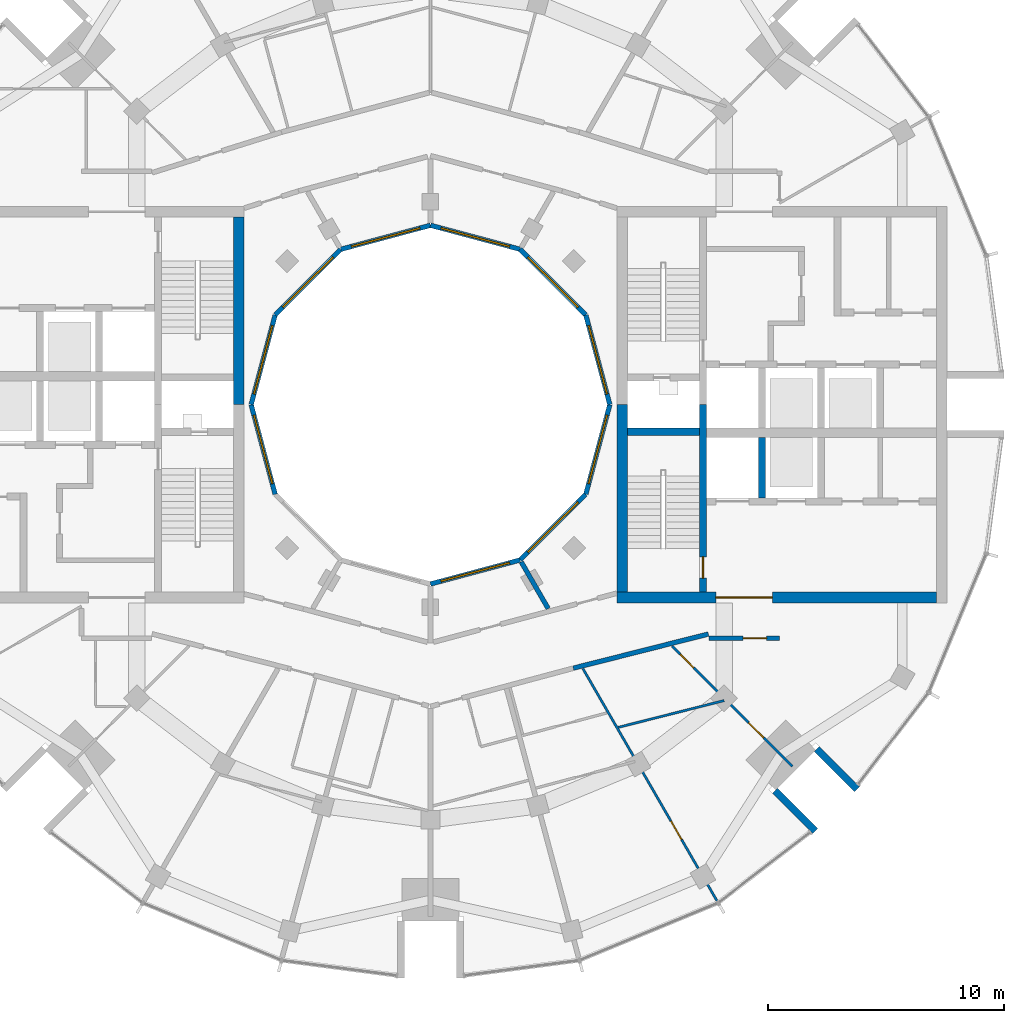
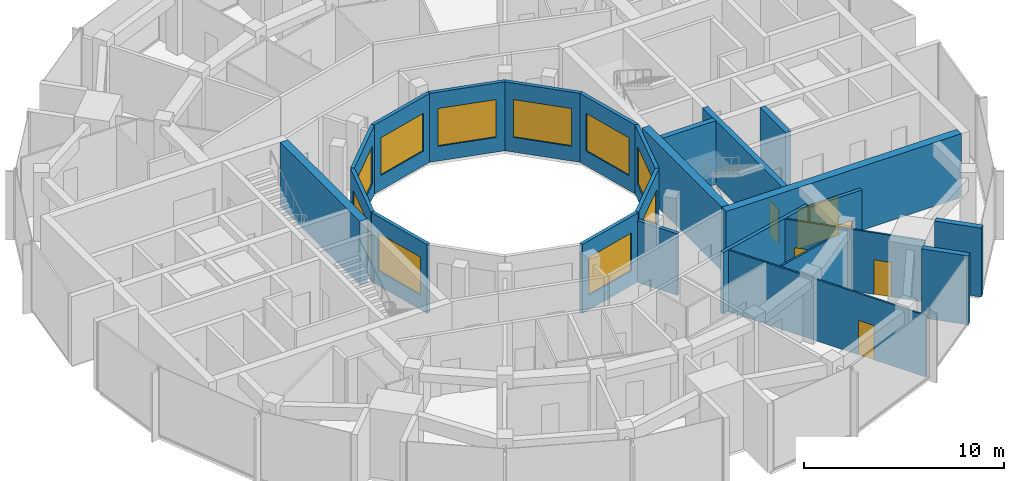
# One storey, part 10 of 15: 24 walls, 10 windows, 6 doors, 16 openings.
"""IFC4 building model written with IfcOpenShell, lengths in metres."""

from ifc_helpers import new_model, si_unit, direction, frame, frame_2d, origin, place, context, subcontext, project, spatial, rectangle, extrude, material, layer, layer_set, type_object, element, fill, save


model = new_model("IFC4")

# Units and contexts
model_context = context("Model", 3, precision=1e-05, world=origin(), true_north=direction((0.0, 1.0)))
body_context = subcontext(model_context, "Body", "Model", "MODEL_VIEW")
ifc_project = project(units=[si_unit("LENGTHUNIT", "METRE"), si_unit("AREAUNIT", "SQUARE_METRE"), si_unit("VOLUMEUNIT", "CUBIC_METRE"), si_unit("PLANEANGLEUNIT", "RADIAN"), si_unit("MASSUNIT", "GRAM", prefix="KILO")], contexts=[model_context])

# Site, building, storey
site_placement = place(None, origin())
site = spatial("IfcSite", under=ifc_project, at=site_placement, CompositionType="ELEMENT")
building_placement = place(site_placement, origin())
building = spatial("IfcBuilding", under=site, at=building_placement, Name="Torre Brocal", CompositionType="ELEMENT")
storey_placement = place(building_placement, frame((0.0, 0.0, 279.89990234375)))
storey = spatial("IfcBuildingStorey", under=building, at=storey_placement, Name="L64", CompositionType="ELEMENT", Elevation=279.89990234375)

# Wall, opening, door
ifc_material_1 = material(Name="Concrete C50", Category="concrete")
ifc_layer_1 = layer(ifc_material_1, 0.300048828125)
ifc_layer_set_1 = layer_set([ifc_layer_1], Name="Concrete C50")
wall_type_1 = type_object("IfcWallType", Name="CORE WALL 300 C50", PredefinedType="SHEAR", material=ifc_layer_set_1)
wall_1_placement = place(storey_placement, frame((91.550048828125, 67.050048828125, 0.0), z_axis=(0.0, 0.0, 1.0), x_axis=(0.0, 1.0, 0.0)))
wall_1 = element("IfcWall", 1, at=wall_1_placement, inside=storey, type_object=wall_type_1, Name="Wall CW300-50", PredefinedType="SHEAR", context=body_context, shape_type="SweptSolid", body=[
    extrude(rectangle(XDim=7.949951171875, YDim=0.300048828125, at=frame_2d((3.97509765625, 0.0))), origin(), (0.0, 0.0, 1.0), 3.880126953125),
])
opening_1_placement = place(wall_1_placement, frame((0.60009765625, 0.0, 0.0)))
opening_1 = element("IfcOpeningElement", 2, at=opening_1_placement, cuts=wall_1, Name="Opening E-D03", PredefinedType="OPENING", context=body_context, shape_type="SweptSolid", body=[
    extrude(rectangle(XDim=0.89990234375, YDim=2.10009765625, at=frame_2d((0.449951171875, 1.050048828125))), frame((0.0, 0.159912109375, 0.0), z_axis=(0.0, -1.0, 0.0), x_axis=(1.0, 0.0, 0.0)), (0.0, 0.0, 1.0), 0.320068359375),
])
ifc_material_2 = material(Name="Steel A653", Category="steel")
door_type_1 = type_object("IfcDoorType", Name="STAIR DOOR FD120 900X2100", OperationType="SINGLE_SWING_RIGHT", PredefinedType="DOOR", material=ifc_material_2)
door_1_placement = place(opening_1_placement, origin())
door_1 = element("IfcDoor", 3, at=door_1_placement, inside=storey, type_object=door_type_1, Name="Door E-D03", OperationType="SINGLE_SWING_LEFT", OverallHeight=2.10009765625, OverallWidth=0.89990234375, PredefinedType="DOOR", context=body_context, shape_type="SweptSolid", body=[
    extrude(rectangle(XDim=0.89990234375, YDim=2.10009765625, at=frame_2d((0.449951171875, 1.050048828125))), frame((0.0, 0.02490234375, 0.0), z_axis=(0.0, -1.0, 0.0), x_axis=(1.0, 0.0, 0.0)), (0.0, 0.0, 1.0), 0.050048828125),
])
fill(opening_1, door_1)

# Walls
wall_2_placement = place(storey_placement, frame((88.35009765625, 73.85009765625, 0.0), z_axis=(0.0, 0.0, 1.0), x_axis=(1.0, 0.0, 0.0)))
element("IfcWall", 4, at=wall_2_placement, inside=storey, type_object=wall_type_1, Name="Wall CW300-50", PredefinedType="SHEAR", context=body_context, shape_type="SweptSolid", body=[
    extrude(rectangle(XDim=3.0498046875, YDim=0.300048828125, at=frame_2d((1.52490234375, 0.0))), origin(), (0.0, 0.0, 1.0), 3.880126953125),
])
wall_3_placement = place(storey_placement, frame((94.050048828125, 71.050048828125, 0.0), z_axis=(0.0, 0.0, 1.0), x_axis=(0.0, 1.0, 0.0)))
element("IfcWall", 5, at=wall_3_placement, inside=storey, type_object=wall_type_1, Name="Wall CW300-50", PredefinedType="SHEAR", context=body_context, shape_type="SweptSolid", body=[
    extrude(rectangle(XDim=2.550048828125, YDim=0.300048828125, at=frame_2d((1.27490234375, 0.0))), origin(), (0.0, 0.0, 1.0), 3.880126953125),
])

# Wall, opening, door
ifc_material_3 = material(Name="Concrete C50", Category="concrete")
ifc_layer_2 = layer(ifc_material_3, 0.449951171875)
ifc_layer_set_2 = layer_set([ifc_layer_2], Name="Concrete C50")
wall_type_2 = type_object("IfcWallType", Name="CORE WALL 450 C50", PredefinedType="SHEAR", material=ifc_layer_set_2)
wall_4_placement = place(storey_placement, frame((87.89990234375, 66.824951171875, 0.0), z_axis=(0.0, 0.0, 1.0), x_axis=(1.0, 0.0, 0.0)))
wall_4 = element("IfcWall", 6, at=wall_4_placement, inside=storey, type_object=wall_type_2, Name="Wall CW450-50", PredefinedType="SHEAR", context=body_context, shape_type="SweptSolid", body=[
    extrude(rectangle(XDim=13.550048828125, YDim=0.449951171875, at=frame_2d((6.77490234375, 0.0))), origin(), (0.0, 0.0, 1.0), 3.880126953125),
])
opening_2_placement = place(wall_4_placement, frame((4.199951171875, 0.0, 0.0)))
opening_2 = element("IfcOpeningElement", 7, at=opening_2_placement, cuts=wall_4, Name="Opening E-D34", PredefinedType="OPENING", context=body_context, shape_type="SweptSolid", body=[
    extrude(rectangle(XDim=2.39990234375, YDim=2.39990234375, at=frame_2d((1.199951171875, 1.199951171875))), frame((0.0, 0.23486328125, 0.0), z_axis=(0.0, -1.0, 0.0), x_axis=(1.0, 0.0, 0.0)), (0.0, 0.0, 1.0), 0.469970703125),
])
ifc_material_4 = material(Name="Steel A653", Category="steel")
door_type_2 = type_object("IfcDoorType", Name="DOUBLE FIRE DOOR FD90 2400X2400", OperationType="DOUBLE_DOOR_SINGLE_SWING", PredefinedType="DOOR", material=ifc_material_4)
door_2_placement = place(opening_2_placement, origin())
door_2 = element("IfcDoor", 8, at=door_2_placement, inside=storey, type_object=door_type_2, Name="Door E-D34", OperationType="DOUBLE_DOOR_SINGLE_SWING", OverallHeight=2.39990234375, OverallWidth=2.39990234375, PredefinedType="DOOR", context=body_context, shape_type="SweptSolid", body=[
    extrude(rectangle(XDim=2.39990234375, YDim=2.39990234375, at=frame_2d((1.199951171875, 1.199951171875))), frame((0.0, 0.02490234375, 0.0), z_axis=(0.0, -1.0, 0.0), x_axis=(1.0, 0.0, 0.0)), (0.0, 0.0, 1.0), 0.050048828125),
])
fill(opening_2, door_2)

# Walls
for number, where, z_axis, x_axis, name in (
    (9, (88.125, 67.050048828125, 0.0), (0.0, 0.0, 1.0), (0.0, 1.0, 0.0), "Wall CW450-50"),
    (10, (71.875, 82.949951171875, 0.0), (0.0, 0.0, 1.0), (0.0, -1.0, 0.0), "Wall CW450-50"),
):
    element("IfcWall", number, at=place(storey_placement, frame(where, z_axis=z_axis, x_axis=x_axis)), inside=storey, type_object=wall_type_2, Name=name, PredefinedType="SHEAR", context=body_context, shape_type="SweptSolid", body=[
        extrude(rectangle(XDim=7.949951171875, YDim=0.449951171875, at=frame_2d((3.97509765625, 0.0))), origin(), (0.0, 0.0, 1.0), 3.880126953125),
    ])
ifc_material_5 = material(Name="Concrete C50", Category="concrete")
ifc_layer_3 = layer(ifc_material_5, 0.300048828125)
ifc_layer_set_3 = layer_set([ifc_layer_3], Name="Concrete C50")
wall_type_3 = type_object("IfcWallType", Name="NOTCH RETURN WALL 300 C50", PredefinedType="NOTDEFINED", material=ifc_layer_set_3)
for number, where, z_axis, x_axis, name in (
    (11, (94.601806640625, 58.63037109375, 0.0), (0.0, 0.0, 1.0), (0.707106781187, -0.707106781187, 0.0), "NOTCH RETURN WALL"),
    (12, (96.36962890625, 60.398193359375, 0.0), (0.0, 0.0, 1.0), (0.707106781187, -0.707106781187, 0.0), "NOTCH RETURN WALL"),
):
    element("IfcWall", number, at=place(storey_placement, frame(where, z_axis=z_axis, x_axis=x_axis)), inside=storey, type_object=wall_type_3, Name=name, PredefinedType="NOTDEFINED", context=body_context, shape_type="SweptSolid", body=[
        extrude(rectangle(XDim=2.41552734375, YDim=0.300048828125, at=frame_2d((1.207763671875, 0.0))), origin(), (0.0, 0.0, 1.0), 4.2001953125),
    ])

# Wall, opening, door
ifc_material_6 = material(Name="Gypsum board", Category="Gypsum")
ifc_layer_4 = layer(ifc_material_6, 0.10009765625)
ifc_layer_set_4 = layer_set([ifc_layer_4], Name="Gypsum board")
wall_type_4 = type_object("IfcWallType", Name="PARTITION 100", PredefinedType="PARTITIONING", material=ifc_layer_set_4)
wall_5_placement = place(storey_placement, frame((86.461181640625, 63.810302734375, 0.0), z_axis=(0.0, 0.0, 1.0), x_axis=(0.499933609462, -0.866063730986, 0.0)))
wall_5 = element("IfcWall", 13, at=wall_5_placement, inside=storey, type_object=wall_type_4, Name="BATHROOM WALL", PredefinedType="PARTITIONING", context=body_context, shape_type="SweptSolid", body=[
    extrude(rectangle(XDim=11.37646484375, YDim=0.10009765625, at=frame_2d((5.688232421875, 0.0))), origin(), (0.0, 0.0, 1.0), 3.75),
])
opening_3_placement = place(wall_5_placement, frame((7.4697265625, 0.0, 0.0)))
opening_3 = element("IfcOpeningElement", 14, at=opening_3_placement, cuts=wall_5, Name="Opening N01-D25", PredefinedType="OPENING", context=body_context, shape_type="SweptSolid", body=[
    extrude(rectangle(XDim=0.89990234375, YDim=2.10009765625, at=frame_2d((0.449951171875, 1.050048828125))), frame((0.0, 0.06005859375, 0.0), z_axis=(0.0, -1.0, 0.0), x_axis=(1.0, 0.0, 0.0)), (0.0, 0.0, 1.0), 0.1201171875),
])
ifc_material_7 = material(Name="Timber", Category="wood")
door_type_3 = type_object("IfcDoorType", Name="ROOM DOOR 900X2100", OperationType="SINGLE_SWING_LEFT", PredefinedType="DOOR", material=ifc_material_7)
door_3_placement = place(opening_3_placement, origin())
door_3 = element("IfcDoor", 15, at=door_3_placement, inside=storey, type_object=door_type_3, Name="N01-D25", OperationType="SINGLE_SWING_RIGHT", OverallHeight=2.10009765625, OverallWidth=0.89990234375, PredefinedType="DOOR", context=body_context, shape_type="SweptSolid", body=[
    extrude(rectangle(XDim=0.89990234375, YDim=2.10009765625, at=frame_2d((0.449951171875, 1.050048828125))), frame((0.0, 0.02490234375, 0.0), z_axis=(0.0, -1.0, 0.0), x_axis=(1.0, 0.0, 0.0)), (0.0, 0.0, 1.0), 0.050048828125),
])
fill(opening_3, door_3)

# Wall
wall_6_placement = place(storey_placement, frame((87.96630859375, 61.318603515625, 0.0), z_axis=(0.0, 0.0, 1.0), x_axis=(0.969427184869, 0.245379162189, 0.0)))
element("IfcWall", 16, at=wall_6_placement, inside=storey, type_object=wall_type_4, Name="BATHROOM WALL", PredefinedType="PARTITIONING", context=body_context, shape_type="SweptSolid", body=[
    extrude(rectangle(XDim=4.62451171875, YDim=0.10009765625, at=frame_2d((2.312255859375, 0.0))), origin(), (0.0, 0.0, 1.0), 3.75),
])

# Wall, openings, doors
wall_7_placement = place(storey_placement, frame((90.239013671875, 64.760986328125, 0.0), z_axis=(0.0, 0.0, 1.0), x_axis=(0.707106781187, -0.707106781187, 0.0)))
wall_7 = element("IfcWall", 17, at=wall_7_placement, inside=storey, type_object=wall_type_4, Name="BATHROOM WALL", PredefinedType="PARTITIONING", context=body_context, shape_type="SweptSolid", body=[
    extrude(rectangle(XDim=7.22021484375, YDim=0.10009765625, at=frame_2d((3.610107421875, 0.0))), origin(), (0.0, 0.0, 1.0), 3.75),
])
opening_4_placement = place(wall_7_placement, frame((4.591552734375, 0.0, 0.0)))
opening_4 = element("IfcOpeningElement", 18, at=opening_4_placement, cuts=wall_7, Name="Opening N01-D23", PredefinedType="OPENING", context=body_context, shape_type="SweptSolid", body=[
    extrude(rectangle(XDim=0.89990234375, YDim=2.10009765625, at=frame_2d((0.449951171875, 1.050048828125))), frame((0.0, 0.06005859375, 0.0), z_axis=(0.0, -1.0, 0.0), x_axis=(1.0, 0.0, 0.0)), (0.0, 0.0, 1.0), 0.1201171875),
])
opening_5_placement = place(wall_7_placement, frame((0.492431640625, 0.0, 0.0)))
opening_5 = element("IfcOpeningElement", 19, at=opening_5_placement, cuts=wall_7, Name="Opening N01-D24", PredefinedType="OPENING", context=body_context, shape_type="SweptSolid", body=[
    extrude(rectangle(XDim=0.800048828125, YDim=2.10009765625, at=frame_2d((0.39990234375, 1.050048828125))), frame((0.0, 0.06005859375, 0.0), z_axis=(0.0, -1.0, 0.0), x_axis=(1.0, 0.0, 0.0)), (0.0, 0.0, 1.0), 0.1201171875),
])
ifc_material_8 = material(Name="Timber", Category="wood")
door_type_4 = type_object("IfcDoorType", Name="BATHROOM DOOR 800X2100", OperationType="SINGLE_SWING_LEFT", PredefinedType="DOOR", material=ifc_material_8)
door_4_placement = place(opening_5_placement, frame((0.800048828125, 0.0, 0.0), z_axis=(0.0, 0.0, 1.0), x_axis=(-1.0, 0.0, 0.0)))
door_4 = element("IfcDoor", 20, at=door_4_placement, inside=storey, type_object=door_type_4, Name="N01-D24", OperationType="SINGLE_SWING_RIGHT", OverallHeight=2.10009765625, OverallWidth=0.800048828125, PredefinedType="DOOR", context=body_context, shape_type="SweptSolid", body=[
    extrude(rectangle(XDim=0.800048828125, YDim=2.10009765625, at=frame_2d((0.39990234375, 1.050048828125))), frame((0.0, 0.02490234375, 0.0), z_axis=(0.0, -1.0, 0.0), x_axis=(1.0, 0.0, 0.0)), (0.0, 0.0, 1.0), 0.050048828125),
])
fill(opening_5, door_4)
door_5_placement = place(opening_4_placement, origin())
door_5 = element("IfcDoor", 21, at=door_5_placement, inside=storey, type_object=door_type_3, Name="N01-D23", OperationType="SINGLE_SWING_RIGHT", OverallHeight=2.10009765625, OverallWidth=0.89990234375, PredefinedType="DOOR", context=body_context, shape_type="SweptSolid", body=[
    extrude(rectangle(XDim=0.89990234375, YDim=2.10009765625, at=frame_2d((0.449951171875, 1.050048828125))), frame((0.0, 0.02490234375, 0.0), z_axis=(0.0, -1.0, 0.0), x_axis=(1.0, 0.0, 0.0)), (0.0, 0.0, 1.0), 0.050048828125),
])
fill(opening_4, door_5)

# Walls
ifc_material_9 = material(Name="Gypsum board", Category="Gypsum")
ifc_layer_5 = layer(ifc_material_9, 0.199951171875)
ifc_layer_set_5 = layer_set([ifc_layer_5], Name="Gypsum board")
wall_type_5 = type_object("IfcWallType", Name="PARTITION 200 EI60", PredefinedType="PARTITIONING", material=ifc_layer_set_5)
wall_8_placement = place(storey_placement, frame((83.847900390625, 68.332275390625, 0.0), z_axis=(0.0, 0.0, 1.0), x_axis=(0.499953638813, -0.866052168773, 0.0)))
element("IfcWall", 22, at=wall_8_placement, inside=storey, type_object=wall_type_5, Name="SERVICE ROOM WALL", PredefinedType="PARTITIONING", context=body_context, shape_type="SweptSolid", body=[
    extrude(rectangle(XDim=2.285400390625, YDim=0.199951171875, at=frame_2d((1.142578125, 0.0))), origin(), (0.0, 0.0, 1.0), 3.75),
])
wall_9_placement = place(storey_placement, frame((86.052978515625, 63.826171875, 0.0), z_axis=(0.0, 0.0, 1.0), x_axis=(0.969490004987, 0.245130843083, 0.0)))
element("IfcWall", 23, at=wall_9_placement, inside=storey, type_object=wall_type_5, Name="FLAT ENTRANCE WALL", PredefinedType="PARTITIONING", context=body_context, shape_type="SweptSolid", body=[
    extrude(rectangle(XDim=5.907958984375, YDim=0.199951171875, at=frame_2d((2.9541015625, 0.0))), origin(), (0.0, 0.0, 1.0), 3.75),
])

# Wall, opening, door
wall_10_placement = place(storey_placement, frame((91.800048828125, 65.10009765625, 0.0), z_axis=(0.0, 0.0, 1.0), x_axis=(1.0, 0.0, 0.0)))
wall_10 = element("IfcWall", 24, at=wall_10_placement, inside=storey, type_object=wall_type_5, Name="FLAT ENTRANCE WALL", PredefinedType="PARTITIONING", context=body_context, shape_type="SweptSolid", body=[
    extrude(rectangle(XDim=3.0, YDim=0.199951171875, at=frame_2d((1.5, 0.0))), origin(), (0.0, 0.0, 1.0), 3.75),
])
opening_6_placement = place(wall_10_placement, frame((1.449951171875, 0.0, 0.0)))
opening_6 = element("IfcOpeningElement", 25, at=opening_6_placement, cuts=wall_10, Name="Opening N01-D22", PredefinedType="OPENING", context=body_context, shape_type="SweptSolid", body=[
    extrude(rectangle(XDim=1.0, YDim=2.10009765625, at=frame_2d((0.5, 1.050048828125))), frame((0.0, 0.10986328125, 0.0), z_axis=(0.0, -1.0, 0.0), x_axis=(1.0, 0.0, 0.0)), (0.0, 0.0, 1.0), 0.219970703125),
])
ifc_material_10 = material(Name="Timber", Category="wood")
door_type_5 = type_object("IfcDoorType", Name="FLAT ENTRY DOOR FD30S 1000X2100", OperationType="SINGLE_SWING_RIGHT", PredefinedType="DOOR", material=ifc_material_10)
door_6_placement = place(opening_6_placement, frame((1.0, 0.0, 0.0), z_axis=(0.0, 0.0, 1.0), x_axis=(-1.0, 0.0, 0.0)))
door_6 = element("IfcDoor", 26, at=door_6_placement, inside=storey, type_object=door_type_5, Name="N01-D22", OperationType="SINGLE_SWING_RIGHT", OverallHeight=2.10009765625, OverallWidth=1.0, PredefinedType="DOOR", context=body_context, shape_type="SweptSolid", body=[
    extrude(rectangle(XDim=1.0, YDim=2.10009765625, at=frame_2d((0.5, 1.050048828125))), frame((0.0, 0.02490234375, 0.0), z_axis=(0.0, -1.0, 0.0), x_axis=(1.0, 0.0, 0.0)), (0.0, 0.0, 1.0), 0.050048828125),
])
fill(opening_6, door_6)

# Wall, opening, window
ifc_material_11 = material(Name="Concrete C40", Category="concrete")
ifc_layer_6 = layer(ifc_material_11, 0.199951171875)
ifc_layer_set_6 = layer_set([ifc_layer_6], Name="Concrete C40")
wall_type_6 = type_object("IfcWallType", Name="WELL FACADE WALL 200", PredefinedType="NOTDEFINED", material=ifc_layer_set_6)
wall_11_placement = place(storey_placement, frame((87.603515625, 75.0, 0.0), z_axis=(0.0, 0.0, 1.0), x_axis=(-0.258789828301, 0.965933654434, 0.0)))
wall_11 = element("IfcWall", 27, at=wall_11_placement, inside=storey, type_object=wall_type_6, Name="WELL FACADE WALL", PredefinedType="NOTDEFINED", context=body_context, shape_type="SweptSolid", body=[
    extrude(rectangle(XDim=3.935791015625, YDim=0.199951171875, at=frame_2d((1.9677734375, 0.0))), origin(), (0.0, 0.0, 1.0), 4.2001953125),
])
opening_7_placement = place(wall_11_placement, frame((0.468017578125, 0.0, 0.89990234375)))
opening_7 = element("IfcOpeningElement", 28, at=opening_7_placement, cuts=wall_11, Name="Opening W1", PredefinedType="OPENING", context=body_context, shape_type="SweptSolid", body=[
    extrude(rectangle(XDim=3.0, YDim=2.300048828125, at=frame_2d((1.5, 1.14990234375))), frame((0.0, 0.10986328125, 0.0), z_axis=(0.0, -1.0, 0.0), x_axis=(1.0, 0.0, 0.0)), (0.0, 0.0, 1.0), 0.219970703125),
])
ifc_material_12 = material(Name="Aluminium and glass", Category="aluminium")
window_type = type_object("IfcWindowType", Name="WELL WINDOW 3000X2300", PartitioningType="SINGLE_PANEL", PredefinedType="WINDOW", material=ifc_material_12)
window_1_placement = place(opening_7_placement, origin())
window_1 = element("IfcWindow", 29, at=window_1_placement, inside=storey, type_object=window_type, Name="WELL WINDOW 3000X2300", OverallHeight=2.300048828125, OverallWidth=3.0, PartitioningType="SINGLE_PANEL", PredefinedType="WINDOW", context=body_context, shape_type="SweptSolid", body=[
    extrude(rectangle(XDim=3.0, YDim=2.300048828125, at=frame_2d((1.5, 1.14990234375))), frame((0.0, 0.030029296875, 0.0), z_axis=(0.0, -1.0, 0.0), x_axis=(1.0, 0.0, 0.0)), (0.0, 0.0, 1.0), 0.06005859375),
])
fill(opening_7, window_1)

wall_12_placement = place(storey_placement, frame((86.5849609375, 78.8017578125, 0.0), z_axis=(0.0, 0.0, 1.0), x_axis=(-0.707106781187, 0.707106781187, 0.0)))
wall_12 = element("IfcWall", 30, at=wall_12_placement, inside=storey, type_object=wall_type_6, Name="WELL FACADE WALL", PredefinedType="NOTDEFINED", context=body_context, shape_type="SweptSolid", body=[
    extrude(rectangle(XDim=3.93603515625, YDim=0.199951171875, at=frame_2d((1.968017578125, 0.0))), origin(), (0.0, 0.0, 1.0), 4.2001953125),
])
opening_8_placement = place(wall_12_placement, frame((0.468017578125, 0.0, 0.89990234375)))
opening_8 = element("IfcOpeningElement", 31, at=opening_8_placement, cuts=wall_12, Name="Opening W1", PredefinedType="OPENING", context=body_context, shape_type="SweptSolid", body=[
    extrude(rectangle(XDim=3.0, YDim=2.300048828125, at=frame_2d((1.5, 1.14990234375))), frame((0.0, 0.10986328125, 0.0), z_axis=(0.0, -1.0, 0.0), x_axis=(1.0, 0.0, 0.0)), (0.0, 0.0, 1.0), 0.219970703125),
])
window_2_placement = place(opening_8_placement, origin())
window_2 = element("IfcWindow", 32, at=window_2_placement, inside=storey, type_object=window_type, Name="WELL WINDOW 3000X2300", OverallHeight=2.300048828125, OverallWidth=3.0, PartitioningType="SINGLE_PANEL", PredefinedType="WINDOW", context=body_context, shape_type="SweptSolid", body=[
    extrude(rectangle(XDim=3.0, YDim=2.300048828125, at=frame_2d((1.5, 1.14990234375))), frame((0.0, 0.030029296875, 0.0), z_axis=(0.0, -1.0, 0.0), x_axis=(1.0, 0.0, 0.0)), (0.0, 0.0, 1.0), 0.06005859375),
])
fill(opening_8, window_2)

wall_13_placement = place(storey_placement, frame((83.8017578125, 81.5849609375, 0.0), z_axis=(0.0, 0.0, 1.0), x_axis=(-0.965933654434, 0.258789828301, 0.0)))
wall_13 = element("IfcWall", 33, at=wall_13_placement, inside=storey, type_object=wall_type_6, Name="WELL FACADE WALL", PredefinedType="NOTDEFINED", context=body_context, shape_type="SweptSolid", body=[
    extrude(rectangle(XDim=3.935791015625, YDim=0.199951171875, at=frame_2d((1.9677734375, 0.0))), origin(), (0.0, 0.0, 1.0), 4.2001953125),
])
opening_9_placement = place(wall_13_placement, frame((0.468017578125, 0.0, 0.89990234375)))
opening_9 = element("IfcOpeningElement", 34, at=opening_9_placement, cuts=wall_13, Name="Opening W1", PredefinedType="OPENING", context=body_context, shape_type="SweptSolid", body=[
    extrude(rectangle(XDim=3.0, YDim=2.300048828125, at=frame_2d((1.5, 1.14990234375))), frame((0.0, 0.10986328125, 0.0), z_axis=(0.0, -1.0, 0.0), x_axis=(1.0, 0.0, 0.0)), (0.0, 0.0, 1.0), 0.219970703125),
])
window_3_placement = place(opening_9_placement, origin())
window_3 = element("IfcWindow", 35, at=window_3_placement, inside=storey, type_object=window_type, Name="WELL WINDOW 3000X2300", OverallHeight=2.300048828125, OverallWidth=3.0, PartitioningType="SINGLE_PANEL", PredefinedType="WINDOW", context=body_context, shape_type="SweptSolid", body=[
    extrude(rectangle(XDim=3.0, YDim=2.300048828125, at=frame_2d((1.5, 1.14990234375))), frame((0.0, 0.030029296875, 0.0), z_axis=(0.0, -1.0, 0.0), x_axis=(1.0, 0.0, 0.0)), (0.0, 0.0, 1.0), 0.06005859375),
])
fill(opening_9, window_3)

wall_14_placement = place(storey_placement, frame((80.0, 82.603515625, 0.0), z_axis=(0.0, 0.0, 1.0), x_axis=(-0.965933654434, -0.258789828301, 0.0)))
wall_14 = element("IfcWall", 36, at=wall_14_placement, inside=storey, type_object=wall_type_6, Name="WELL FACADE WALL", PredefinedType="NOTDEFINED", context=body_context, shape_type="SweptSolid", body=[
    extrude(rectangle(XDim=3.935791015625, YDim=0.199951171875, at=frame_2d((1.9677734375, 0.0))), origin(), (0.0, 0.0, 1.0), 4.2001953125),
])
opening_10_placement = place(wall_14_placement, frame((0.468017578125, 0.0, 0.89990234375)))
opening_10 = element("IfcOpeningElement", 37, at=opening_10_placement, cuts=wall_14, Name="Opening W1", PredefinedType="OPENING", context=body_context, shape_type="SweptSolid", body=[
    extrude(rectangle(XDim=3.0, YDim=2.300048828125, at=frame_2d((1.5, 1.14990234375))), frame((0.0, 0.10986328125, 0.0), z_axis=(0.0, -1.0, 0.0), x_axis=(1.0, 0.0, 0.0)), (0.0, 0.0, 1.0), 0.219970703125),
])
window_4_placement = place(opening_10_placement, origin())
window_4 = element("IfcWindow", 38, at=window_4_placement, inside=storey, type_object=window_type, Name="WELL WINDOW 3000X2300", OverallHeight=2.300048828125, OverallWidth=3.0, PartitioningType="SINGLE_PANEL", PredefinedType="WINDOW", context=body_context, shape_type="SweptSolid", body=[
    extrude(rectangle(XDim=3.0, YDim=2.300048828125, at=frame_2d((1.5, 1.14990234375))), frame((0.0, 0.030029296875, 0.0), z_axis=(0.0, -1.0, 0.0), x_axis=(1.0, 0.0, 0.0)), (0.0, 0.0, 1.0), 0.06005859375),
])
fill(opening_10, window_4)

wall_15_placement = place(storey_placement, frame((76.1982421875, 81.5849609375, 0.0), z_axis=(0.0, 0.0, 1.0), x_axis=(-0.707106781187, -0.707106781187, 0.0)))
wall_15 = element("IfcWall", 39, at=wall_15_placement, inside=storey, type_object=wall_type_6, Name="WELL FACADE WALL", PredefinedType="NOTDEFINED", context=body_context, shape_type="SweptSolid", body=[
    extrude(rectangle(XDim=3.93603515625, YDim=0.199951171875, at=frame_2d((1.968017578125, 0.0))), origin(), (0.0, 0.0, 1.0), 4.2001953125),
])
opening_11_placement = place(wall_15_placement, frame((0.468017578125, 0.0, 0.89990234375)))
opening_11 = element("IfcOpeningElement", 40, at=opening_11_placement, cuts=wall_15, Name="Opening W1", PredefinedType="OPENING", context=body_context, shape_type="SweptSolid", body=[
    extrude(rectangle(XDim=3.0, YDim=2.300048828125, at=frame_2d((1.5, 1.14990234375))), frame((0.0, 0.10986328125, 0.0), z_axis=(0.0, -1.0, 0.0), x_axis=(1.0, 0.0, 0.0)), (0.0, 0.0, 1.0), 0.219970703125),
])
window_5_placement = place(opening_11_placement, origin())
window_5 = element("IfcWindow", 41, at=window_5_placement, inside=storey, type_object=window_type, Name="WELL WINDOW 3000X2300", OverallHeight=2.300048828125, OverallWidth=3.0, PartitioningType="SINGLE_PANEL", PredefinedType="WINDOW", context=body_context, shape_type="SweptSolid", body=[
    extrude(rectangle(XDim=3.0, YDim=2.300048828125, at=frame_2d((1.5, 1.14990234375))), frame((0.0, 0.030029296875, 0.0), z_axis=(0.0, -1.0, 0.0), x_axis=(1.0, 0.0, 0.0)), (0.0, 0.0, 1.0), 0.06005859375),
])
fill(opening_11, window_5)

wall_16_placement = place(storey_placement, frame((73.4150390625, 78.8017578125, 0.0), z_axis=(0.0, 0.0, 1.0), x_axis=(-0.258789828301, -0.965933654434, 0.0)))
wall_16 = element("IfcWall", 42, at=wall_16_placement, inside=storey, type_object=wall_type_6, Name="WELL FACADE WALL", PredefinedType="NOTDEFINED", context=body_context, shape_type="SweptSolid", body=[
    extrude(rectangle(XDim=3.935791015625, YDim=0.199951171875, at=frame_2d((1.9677734375, 0.0))), origin(), (0.0, 0.0, 1.0), 4.2001953125),
])
opening_12_placement = place(wall_16_placement, frame((0.468017578125, 0.0, 0.89990234375)))
opening_12 = element("IfcOpeningElement", 43, at=opening_12_placement, cuts=wall_16, Name="Opening W1", PredefinedType="OPENING", context=body_context, shape_type="SweptSolid", body=[
    extrude(rectangle(XDim=3.0, YDim=2.300048828125, at=frame_2d((1.5, 1.14990234375))), frame((0.0, 0.10986328125, 0.0), z_axis=(0.0, -1.0, 0.0), x_axis=(1.0, 0.0, 0.0)), (0.0, 0.0, 1.0), 0.219970703125),
])
window_6_placement = place(opening_12_placement, origin())
window_6 = element("IfcWindow", 44, at=window_6_placement, inside=storey, type_object=window_type, Name="WELL WINDOW 3000X2300", OverallHeight=2.300048828125, OverallWidth=3.0, PartitioningType="SINGLE_PANEL", PredefinedType="WINDOW", context=body_context, shape_type="SweptSolid", body=[
    extrude(rectangle(XDim=3.0, YDim=2.300048828125, at=frame_2d((1.5, 1.14990234375))), frame((0.0, 0.030029296875, 0.0), z_axis=(0.0, -1.0, 0.0), x_axis=(1.0, 0.0, 0.0)), (0.0, 0.0, 1.0), 0.06005859375),
])
fill(opening_12, window_6)

wall_17_placement = place(storey_placement, frame((72.396484375, 75.0, 0.0), z_axis=(0.0, 0.0, 1.0), x_axis=(0.258789828301, -0.965933654434, 0.0)))
wall_17 = element("IfcWall", 45, at=wall_17_placement, inside=storey, type_object=wall_type_6, Name="WELL FACADE WALL", PredefinedType="NOTDEFINED", context=body_context, shape_type="SweptSolid", body=[
    extrude(rectangle(XDim=3.935791015625, YDim=0.199951171875, at=frame_2d((1.9677734375, 0.0))), origin(), (0.0, 0.0, 1.0), 4.2001953125),
])
opening_13_placement = place(wall_17_placement, frame((0.468017578125, 0.0, 0.89990234375)))
opening_13 = element("IfcOpeningElement", 46, at=opening_13_placement, cuts=wall_17, Name="Opening W1", PredefinedType="OPENING", context=body_context, shape_type="SweptSolid", body=[
    extrude(rectangle(XDim=3.0, YDim=2.300048828125, at=frame_2d((1.5, 1.14990234375))), frame((0.0, 0.10986328125, 0.0), z_axis=(0.0, -1.0, 0.0), x_axis=(1.0, 0.0, 0.0)), (0.0, 0.0, 1.0), 0.219970703125),
])
window_7_placement = place(opening_13_placement, origin())
window_7 = element("IfcWindow", 47, at=window_7_placement, inside=storey, type_object=window_type, Name="WELL WINDOW 3000X2300", OverallHeight=2.300048828125, OverallWidth=3.0, PartitioningType="SINGLE_PANEL", PredefinedType="WINDOW", context=body_context, shape_type="SweptSolid", body=[
    extrude(rectangle(XDim=3.0, YDim=2.300048828125, at=frame_2d((1.5, 1.14990234375))), frame((0.0, 0.030029296875, 0.0), z_axis=(0.0, -1.0, 0.0), x_axis=(1.0, 0.0, 0.0)), (0.0, 0.0, 1.0), 0.06005859375),
])
fill(opening_13, window_7)

wall_18_placement = place(storey_placement, frame((80.0, 67.396484375, 0.0), z_axis=(0.0, 0.0, 1.0), x_axis=(0.965933654434, 0.258789828301, 0.0)))
wall_18 = element("IfcWall", 48, at=wall_18_placement, inside=storey, type_object=wall_type_6, Name="WELL FACADE WALL", PredefinedType="NOTDEFINED", context=body_context, shape_type="SweptSolid", body=[
    extrude(rectangle(XDim=3.935791015625, YDim=0.199951171875, at=frame_2d((1.9677734375, 0.0))), origin(), (0.0, 0.0, 1.0), 4.2001953125),
])
opening_14_placement = place(wall_18_placement, frame((0.468017578125, 0.0, 0.89990234375)))
opening_14 = element("IfcOpeningElement", 49, at=opening_14_placement, cuts=wall_18, Name="Opening W1", PredefinedType="OPENING", context=body_context, shape_type="SweptSolid", body=[
    extrude(rectangle(XDim=3.0, YDim=2.300048828125, at=frame_2d((1.5, 1.14990234375))), frame((0.0, 0.10986328125, 0.0), z_axis=(0.0, -1.0, 0.0), x_axis=(1.0, 0.0, 0.0)), (0.0, 0.0, 1.0), 0.219970703125),
])
window_8_placement = place(opening_14_placement, origin())
window_8 = element("IfcWindow", 50, at=window_8_placement, inside=storey, type_object=window_type, Name="WELL WINDOW 3000X2300", OverallHeight=2.300048828125, OverallWidth=3.0, PartitioningType="SINGLE_PANEL", PredefinedType="WINDOW", context=body_context, shape_type="SweptSolid", body=[
    extrude(rectangle(XDim=3.0, YDim=2.300048828125, at=frame_2d((1.5, 1.14990234375))), frame((0.0, 0.030029296875, 0.0), z_axis=(0.0, -1.0, 0.0), x_axis=(1.0, 0.0, 0.0)), (0.0, 0.0, 1.0), 0.06005859375),
])
fill(opening_14, window_8)

wall_19_placement = place(storey_placement, frame((83.8017578125, 68.4150390625, 0.0), z_axis=(0.0, 0.0, 1.0), x_axis=(0.707106781187, 0.707106781187, 0.0)))
wall_19 = element("IfcWall", 51, at=wall_19_placement, inside=storey, type_object=wall_type_6, Name="WELL FACADE WALL", PredefinedType="NOTDEFINED", context=body_context, shape_type="SweptSolid", body=[
    extrude(rectangle(XDim=3.93603515625, YDim=0.199951171875, at=frame_2d((1.968017578125, 0.0))), origin(), (0.0, 0.0, 1.0), 4.2001953125),
])
opening_15_placement = place(wall_19_placement, frame((0.468017578125, 0.0, 0.89990234375)))
opening_15 = element("IfcOpeningElement", 52, at=opening_15_placement, cuts=wall_19, Name="Opening W1", PredefinedType="OPENING", context=body_context, shape_type="SweptSolid", body=[
    extrude(rectangle(XDim=3.0, YDim=2.300048828125, at=frame_2d((1.5, 1.14990234375))), frame((0.0, 0.10986328125, 0.0), z_axis=(0.0, -1.0, 0.0), x_axis=(1.0, 0.0, 0.0)), (0.0, 0.0, 1.0), 0.219970703125),
])
window_9_placement = place(opening_15_placement, origin())
window_9 = element("IfcWindow", 53, at=window_9_placement, inside=storey, type_object=window_type, Name="WELL WINDOW 3000X2300", OverallHeight=2.300048828125, OverallWidth=3.0, PartitioningType="SINGLE_PANEL", PredefinedType="WINDOW", context=body_context, shape_type="SweptSolid", body=[
    extrude(rectangle(XDim=3.0, YDim=2.300048828125, at=frame_2d((1.5, 1.14990234375))), frame((0.0, 0.030029296875, 0.0), z_axis=(0.0, -1.0, 0.0), x_axis=(1.0, 0.0, 0.0)), (0.0, 0.0, 1.0), 0.06005859375),
])
fill(opening_15, window_9)

wall_20_placement = place(storey_placement, frame((86.5849609375, 71.1982421875, 0.0), z_axis=(0.0, 0.0, 1.0), x_axis=(0.258789828301, 0.965933654434, 0.0)))
wall_20 = element("IfcWall", 54, at=wall_20_placement, inside=storey, type_object=wall_type_6, Name="WELL FACADE WALL", PredefinedType="NOTDEFINED", context=body_context, shape_type="SweptSolid", body=[
    extrude(rectangle(XDim=3.935791015625, YDim=0.199951171875, at=frame_2d((1.9677734375, 0.0))), origin(), (0.0, 0.0, 1.0), 4.2001953125),
])
opening_16_placement = place(wall_20_placement, frame((0.468017578125, 0.0, 0.89990234375)))
opening_16 = element("IfcOpeningElement", 55, at=opening_16_placement, cuts=wall_20, Name="Opening W1", PredefinedType="OPENING", context=body_context, shape_type="SweptSolid", body=[
    extrude(rectangle(XDim=3.0, YDim=2.300048828125, at=frame_2d((1.5, 1.14990234375))), frame((0.0, 0.10986328125, 0.0), z_axis=(0.0, -1.0, 0.0), x_axis=(1.0, 0.0, 0.0)), (0.0, 0.0, 1.0), 0.219970703125),
])
window_10_placement = place(opening_16_placement, origin())
window_10 = element("IfcWindow", 56, at=window_10_placement, inside=storey, type_object=window_type, Name="WELL WINDOW 3000X2300", OverallHeight=2.300048828125, OverallWidth=3.0, PartitioningType="SINGLE_PANEL", PredefinedType="WINDOW", context=body_context, shape_type="SweptSolid", body=[
    extrude(rectangle(XDim=3.0, YDim=2.300048828125, at=frame_2d((1.5, 1.14990234375))), frame((0.0, 0.030029296875, 0.0), z_axis=(0.0, -1.0, 0.0), x_axis=(1.0, 0.0, 0.0)), (0.0, 0.0, 1.0), 0.06005859375),
])
fill(opening_16, window_10)

save(model, "model.ifc")
